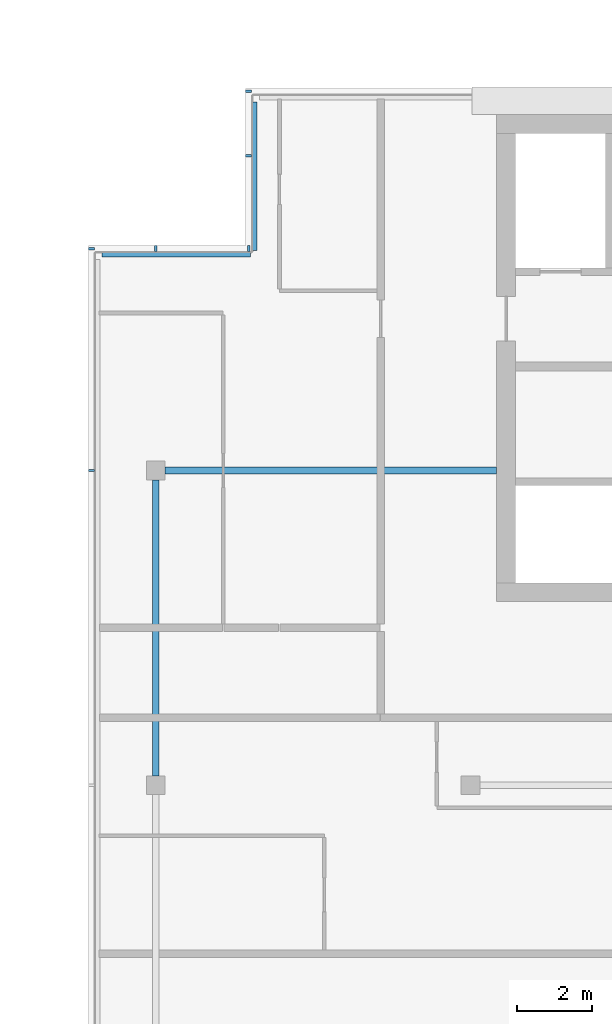
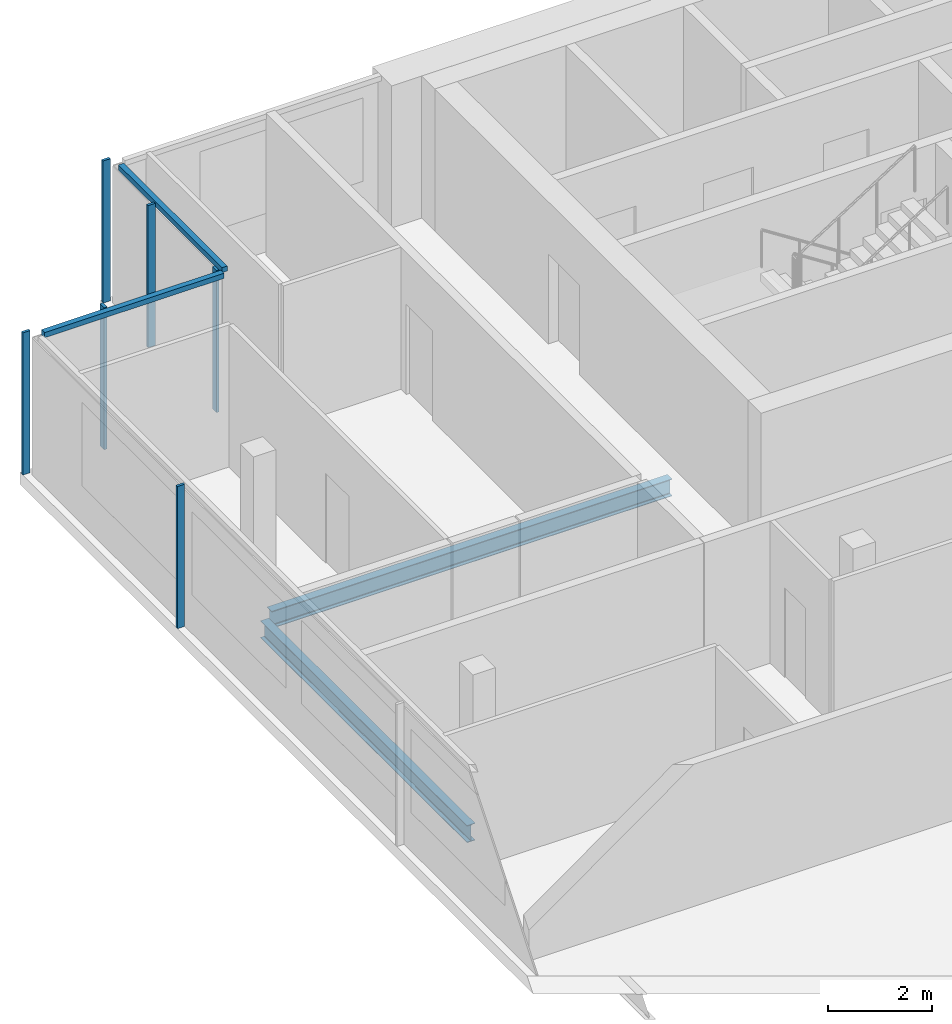
# One storey, part 11 of 24: 8 members, 2 beams, 3 elements without a shape of their own.
"""IFC4 building model written with IfcOpenShell, lengths in metres."""

from ifc_helpers import new_model, si_unit, direction, frame, origin, origin_2d, place, context, subcontext, project, spatial, rectangle, i_section, extrude, material, material_profile, profile_set, type_object, element, aggregate, save


model = new_model("IFC4")

# Units and contexts
model_context = context("Model", 3, precision=1e-05, world=origin(), true_north=direction((0.0, 1.0)))
body_context = subcontext(model_context, "Body", "Model", "MODEL_VIEW")
ifc_project = project(units=[si_unit("LENGTHUNIT", "METRE"), si_unit("AREAUNIT", "SQUARE_METRE"), si_unit("VOLUMEUNIT", "CUBIC_METRE"), si_unit("PLANEANGLEUNIT", "RADIAN"), si_unit("MASSUNIT", "GRAM", prefix="KILO")], contexts=[model_context])

# Site, building, storey
site_placement = place(None, origin())
site = spatial("IfcSite", under=ifc_project, at=site_placement, CompositionType="ELEMENT")
building_placement = place(site_placement, origin())
building = spatial("IfcBuilding", under=site, at=building_placement, Name="Saffron Gate Tower", CompositionType="ELEMENT")
storey_placement = place(building_placement, frame((0.0, 0.0, 281.550048828125)))
storey = spatial("IfcBuildingStorey", under=building, at=storey_placement, Name="L68", CompositionType="ELEMENT", Elevation=281.550048828125)

# Beams
ifc_material_1 = material(Name="Structural steel S355", Category="steel")
ifc_material_profile_1 = material_profile(ifc_material_1, i_section(OverallWidth=0.179931640625, OverallDepth=0.39990234375, WebThickness=0.008544921875, FlangeThickness=0.013427734375, FilletRadius=0.02099609375, at=origin_2d()))
ifc_profile_set_1 = profile_set([ifc_material_profile_1], Name="Structural steel S355")
beam_type_1 = type_object("IfcBeamType", Name="B4 IPE 400", PredefinedType="BEAM", material=ifc_profile_set_1)
beam_1_placement = place(storey_placement, frame((58.449951171875, 65.39990234375, -0.47998046875), z_axis=(1.0, 0.0, 0.0), x_axis=(0.0, 1.0, 0.0)))
element("IfcBeam", 1, at=beam_1_placement, inside=storey, type_object=beam_type_1, Name="B4 CORE TIE BEAM", PredefinedType="BEAM", context=body_context, shape_type="SweptSolid", body=[
    extrude(i_section(OverallWidth=0.179931640625, OverallDepth=0.39990234375, WebThickness=0.008544921875, FlangeThickness=0.013427734375, FilletRadius=0.02099609375, at=origin_2d()), origin(), (0.0, 0.0, 1.0), 8.85009765625),
])
ifc_material_profile_2 = material_profile(ifc_material_1, i_section(OverallWidth=0.179931640625, OverallDepth=0.39990234375, WebThickness=0.008544921875, FlangeThickness=0.013427734375, FilletRadius=0.02099609375, at=origin_2d()))
ifc_profile_set_2 = profile_set([ifc_material_profile_2], Name="Structural steel S355")
beam_type_2 = type_object("IfcBeamType", Name="B5 IPE 400", PredefinedType="SPANDREL", material=ifc_profile_set_2)
beam_2_placement = place(storey_placement, frame((58.199951171875, 57.25, -0.47998046875), z_axis=(0.0, 1.0, 0.0), x_axis=(-1.0, 0.0, 0.0)))
element("IfcBeam", 2, at=beam_2_placement, inside=storey, type_object=beam_type_2, Name="B5 SPANDREL BEAM", PredefinedType="SPANDREL", context=body_context, shape_type="SweptSolid", body=[
    extrude(i_section(OverallWidth=0.179931640625, OverallDepth=0.39990234375, WebThickness=0.008544921875, FlangeThickness=0.013427734375, FilletRadius=0.02099609375, at=origin_2d()), origin(), (0.0, 0.0, 1.0), 7.89990234375),
])

# Curtain wall, members
ifc_material_2 = material(Name="Aluminium, bronze anodised", Category="aluminium")
curtain_wall_type_1 = type_object("IfcCurtainWallType", Name="CWS2 curtain wall side facades", PredefinedType="NOTDEFINED", material=ifc_material_2)
curtain_wall_1_placement = place(storey_placement, origin())
curtain_wall_1 = element("IfcCurtainWall", 3, at=curtain_wall_1_placement, inside=storey, type_object=curtain_wall_type_1, Name="CWS2 run 10", PredefinedType="NOTDEFINED")
ifc_material_profile_3 = material_profile(ifc_material_2, rectangle(XDim=0.159912109375, YDim=0.06005859375, at=origin_2d()))
ifc_profile_set_3 = profile_set([ifc_material_profile_3], Name="Aluminium, bronze anodised")
member_type_1 = type_object("IfcMemberType", Name="CWS2 mullion 60x160", PredefinedType="MULLION", material=ifc_profile_set_3)
member_1_placement = place(storey_placement, frame((56.47998046875, 71.320068359375, 0.0), z_axis=(0.0, 0.0, 1.0), x_axis=(1.0, 0.0, 0.0)))
member_1 = element("IfcMember", 4, at=member_1_placement, type_object=member_type_1, Name="CWS2 mullion 1", PredefinedType="MULLION", context=body_context, shape_type="SweptSolid", body=[
    extrude(rectangle(XDim=0.159912109375, YDim=0.06005859375, at=origin_2d()), origin(), (0.0, 0.0, 1.0), 3.320068359375),
])
member_2_placement = place(storey_placement, frame((56.47998046875, 65.39990234375, 0.0), z_axis=(0.0, 0.0, 1.0), x_axis=(1.0, 0.0, 0.0)))
member_2 = element("IfcMember", 5, at=member_2_placement, type_object=member_type_1, Name="CWS2 mullion 2", PredefinedType="MULLION", context=body_context, shape_type="SweptSolid", body=[
    extrude(rectangle(XDim=0.159912109375, YDim=0.06005859375, at=origin_2d()), origin(), (0.0, 0.0, 1.0), 3.320068359375),
])
aggregate(curtain_wall_1, [member_1, member_2])

# Curtain wall, member
curtain_wall_type_2 = type_object("IfcCurtainWallType", Name="CWS4 curtain wall corner returns", PredefinedType="NOTDEFINED", material=ifc_material_2)
curtain_wall_2_placement = place(storey_placement, origin())
curtain_wall_2 = element("IfcCurtainWall", 6, at=curtain_wall_2_placement, inside=storey, type_object=curtain_wall_type_2, Name="CWS4 run 8", PredefinedType="NOTDEFINED")
ifc_material_profile_4 = material_profile(ifc_material_2, rectangle(XDim=0.1201171875, YDim=0.1201171875, at=origin_2d()))
ifc_profile_set_4 = profile_set([ifc_material_profile_4], Name="Aluminium, bronze anodised")
member_type_2 = type_object("IfcMemberType", Name="CWS4 head transom", PredefinedType="USERDEFINED", material=ifc_profile_set_4)
member_3_placement = place(storey_placement, frame((60.847900390625, 75.23193359375, 3.260009765625), z_axis=(0.0, -1.0, 0.0), x_axis=(1.0, 0.0, 0.0)))
member_3 = element("IfcMember", 7, at=member_3_placement, type_object=member_type_2, Name="CWS4 head transom", ObjectType="TRANSOM", PredefinedType="USERDEFINED", context=body_context, shape_type="SweptSolid", body=[
    extrude(rectangle(XDim=0.1201171875, YDim=0.1201171875, at=origin_2d()), origin(), (0.0, 0.0, 1.0), 3.9599609375),
])

curtain_wall_3_placement = place(storey_placement, origin())
curtain_wall_3 = element("IfcCurtainWall", 8, at=curtain_wall_3_placement, inside=storey, type_object=curtain_wall_type_2, Name="CWS4 run 9", PredefinedType="NOTDEFINED")
member_4_placement = place(storey_placement, frame((60.72802734375, 71.152099609375, 3.260009765625), z_axis=(-1.0, 0.0, 0.0), x_axis=(0.0, -1.0, 0.0)))
member_4 = element("IfcMember", 9, at=member_4_placement, type_object=member_type_2, Name="CWS4 head transom", ObjectType="TRANSOM", PredefinedType="USERDEFINED", context=body_context, shape_type="SweptSolid", body=[
    extrude(rectangle(XDim=0.1201171875, YDim=0.1201171875, at=origin_2d()), origin(), (0.0, 0.0, 1.0), 3.9599609375),
])

# Member
ifc_material_profile_5 = material_profile(ifc_material_2, rectangle(XDim=0.159912109375, YDim=0.06005859375, at=origin_2d()))
ifc_profile_set_5 = profile_set([ifc_material_profile_5], Name="Aluminium, bronze anodised")
member_type_3 = type_object("IfcMemberType", Name="CWS4 mullion 60x160", PredefinedType="MULLION", material=ifc_profile_set_5)
member_5_placement = place(storey_placement, frame((60.679931640625, 75.52001953125, 0.0), z_axis=(0.0, 0.0, 1.0), x_axis=(1.0, 0.0, 0.0)))
member_5 = element("IfcMember", 10, at=member_5_placement, type_object=member_type_3, Name="CWS4 mullion 1", PredefinedType="MULLION", context=body_context, shape_type="SweptSolid", body=[
    extrude(rectangle(XDim=0.159912109375, YDim=0.06005859375, at=origin_2d()), origin(), (0.0, 0.0, 1.0), 3.320068359375),
])

member_6_placement = place(storey_placement, frame((60.679931640625, 73.800048828125, 0.0), z_axis=(0.0, 0.0, 1.0), x_axis=(1.0, 0.0, 0.0)))
member_6 = element("IfcMember", 11, at=member_6_placement, type_object=member_type_3, Name="CWS4 mullion 2", PredefinedType="MULLION", context=body_context, shape_type="SweptSolid", body=[
    extrude(rectangle(XDim=0.159912109375, YDim=0.06005859375, at=origin_2d()), origin(), (0.0, 0.0, 1.0), 3.320068359375),
])

aggregate(curtain_wall_2, [member_5, member_6, member_3])

member_7_placement = place(storey_placement, frame((60.679931640625, 71.320068359375, 0.0), z_axis=(0.0, 0.0, 1.0), x_axis=(0.0, -1.0, 0.0)))
member_7 = element("IfcMember", 12, at=member_7_placement, type_object=member_type_3, Name="CWS4 mullion 1", PredefinedType="MULLION", context=body_context, shape_type="SweptSolid", body=[
    extrude(rectangle(XDim=0.159912109375, YDim=0.06005859375, at=origin_2d()), origin(), (0.0, 0.0, 1.0), 3.320068359375),
])

member_8_placement = place(storey_placement, frame((58.199951171875, 71.320068359375, 0.0), z_axis=(0.0, 0.0, 1.0), x_axis=(0.0, -1.0, 0.0)))
member_8 = element("IfcMember", 13, at=member_8_placement, type_object=member_type_3, Name="CWS4 mullion 2", PredefinedType="MULLION", context=body_context, shape_type="SweptSolid", body=[
    extrude(rectangle(XDim=0.159912109375, YDim=0.06005859375, at=origin_2d()), origin(), (0.0, 0.0, 1.0), 3.320068359375),
])

aggregate(curtain_wall_3, [member_7, member_8, member_4])

save(model, "model.ifc")
